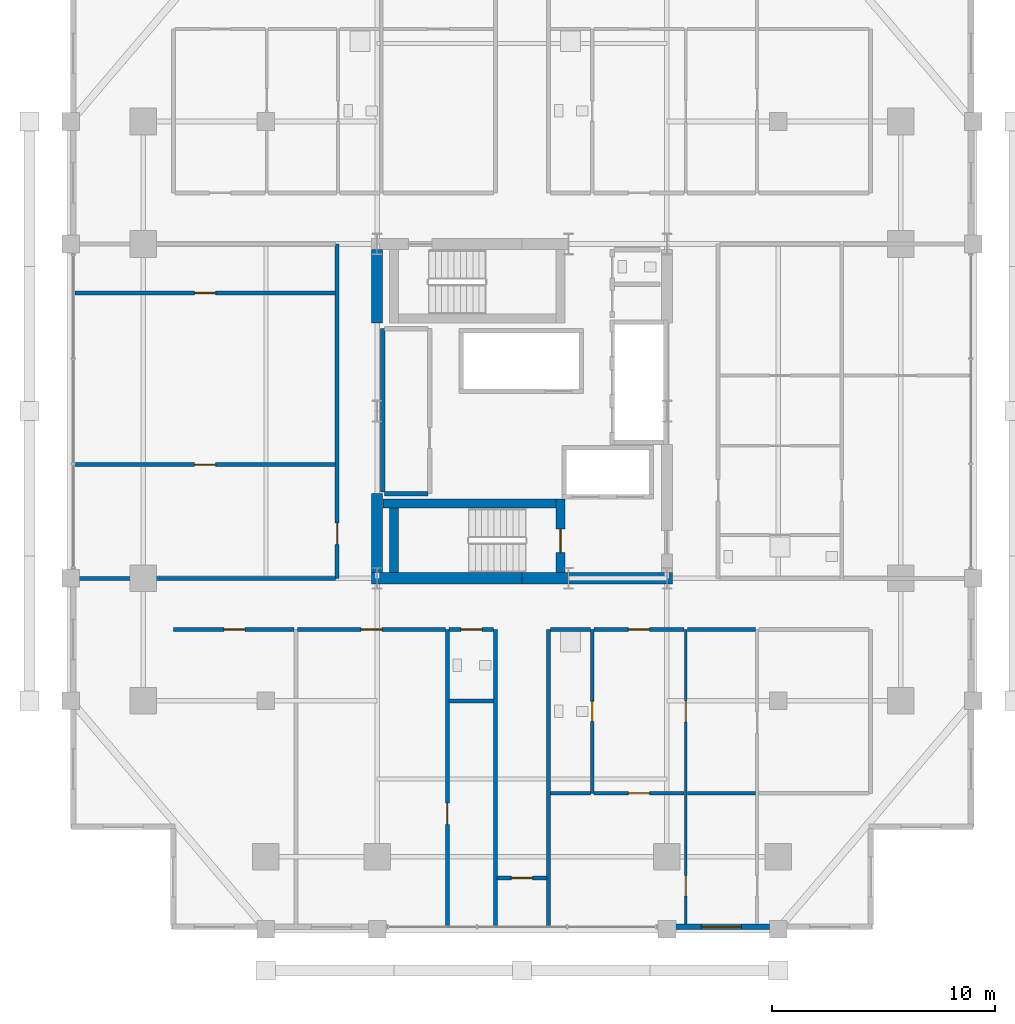
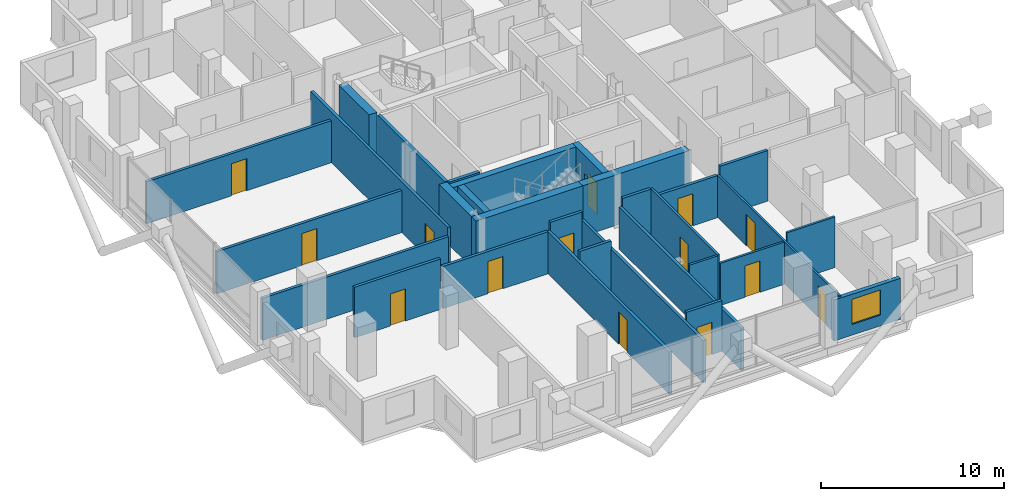
# One storey, part 17 of 23: 30 walls, 14 doors, 1 window, 15 openings.
"""IFC4 building model written with IfcOpenShell, lengths in metres."""

from ifc_helpers import new_model, si_unit, direction, frame, frame_2d, origin, place, context, subcontext, project, spatial, rectangle, extrude, material, layer, layer_set, type_object, element, fill, save


model = new_model("IFC4")

# Units and contexts
model_context = context("Model", 3, precision=1e-05, world=origin(), true_north=direction((0.0, 1.0)))
body_context = subcontext(model_context, "Body", "Model", "MODEL_VIEW")
ifc_project = project(units=[si_unit("LENGTHUNIT", "METRE"), si_unit("AREAUNIT", "SQUARE_METRE"), si_unit("VOLUMEUNIT", "CUBIC_METRE"), si_unit("PLANEANGLEUNIT", "RADIAN"), si_unit("MASSUNIT", "GRAM", prefix="KILO")], contexts=[model_context])

# Site, building, storey
site_placement = place(None, origin())
site = spatial("IfcSite", under=ifc_project, at=site_placement, CompositionType="ELEMENT")
building_placement = place(site_placement, origin())
building = spatial("IfcBuilding", under=site, at=building_placement, Name="Barlavira Tower and Art Museum", CompositionType="ELEMENT")
storey_placement = place(building_placement, frame((0.0, 0.0, 151.199951171875)))
storey = spatial("IfcBuildingStorey", under=building, at=storey_placement, Name="L38", CompositionType="ELEMENT", Elevation=151.199951171875)

# Wall, openings, doors
ifc_material_1 = material(Name="Gypsum acoustic stud partition", Category="gypsum")
ifc_layer_1 = layer(ifc_material_1, 0.1201171875, Name="Gypsum acoustic stud partition")
ifc_layer_set_1 = layer_set([ifc_layer_1], Name="Gypsum acoustic stud partition")
wall_type_1 = type_object("IfcWallType", Name="Apartment Internal Acoustic Partition 120", PredefinedType="PARTITIONING", material=ifc_layer_set_1)
wall_1_placement = place(storey_placement, frame((7.35009765625, -23.14990234375, 0.0), z_axis=(0.0, 0.0, 1.0), x_axis=(0.0, 1.0, 0.0)))
wall_1 = element("IfcWall", 1, at=wall_1_placement, inside=storey, type_object=wall_type_1, Name="L38 Partition Wall 17", PredefinedType="PARTITIONING", context=body_context, shape_type="SweptSolid", body=[
    extrude(rectangle(XDim=13.349853515625, YDim=0.1201171875, at=frame_2d((6.6748046875, 0.0))), origin(), (0.0, 0.0, 1.0), 2.816162109375),
])
opening_1_placement = place(wall_1_placement, frame((9.205078125, 0.0, 0.0)))
opening_1 = element("IfcOpeningElement", 2, at=opening_1_placement, cuts=wall_1, Name="Opening D-02", PredefinedType="OPENING", context=body_context, shape_type="SweptSolid", body=[
    extrude(rectangle(XDim=0.949951171875, YDim=2.10009765625, at=frame_2d((0.47509765625, 1.050048828125))), frame((0.0, 0.070068359375, 0.0), z_axis=(0.0, -1.0, 0.0), x_axis=(1.0, 0.0, 0.0)), (0.0, 0.0, 1.0), 0.14013671875),
])
opening_2_placement = place(wall_1_placement, frame((1.39892578125, 0.0, 0.0)))
opening_2 = element("IfcOpeningElement", 3, at=opening_2_placement, cuts=wall_1, Name="Opening D-01", PredefinedType="OPENING", context=body_context, shape_type="SweptSolid", body=[
    extrude(rectangle(XDim=0.89990234375, YDim=2.10009765625, at=frame_2d((0.449951171875, 1.050048828125))), frame((0.0, 0.070068359375, 0.0), z_axis=(0.0, -1.0, 0.0), x_axis=(1.0, 0.0, 0.0)), (0.0, 0.0, 1.0), 0.14013671875),
])
ifc_material_2 = material(Name="Engineered coastal hardwood", Category="wood")
door_type_1 = type_object("IfcDoorType", Name="Internal Bedroom Timber Flush Door 900x2100", OperationType="NOTDEFINED", PredefinedType="DOOR", material=ifc_material_2)
door_1_placement = place(opening_2_placement, origin())
door_1 = element("IfcDoor", 4, at=door_1_placement, inside=storey, type_object=door_type_1, Name="Apartment SE1 Bedroom 1 Door", OperationType="SINGLE_SWING_RIGHT", OverallHeight=2.10009765625, OverallWidth=0.89990234375, PredefinedType="DOOR", context=body_context, shape_type="SweptSolid", body=[
    extrude(rectangle(XDim=0.89990234375, YDim=2.10009765625, at=frame_2d((0.449951171875, 1.050048828125))), frame((0.0, 0.02490234375, 0.0), z_axis=(0.0, -1.0, 0.0), x_axis=(1.0, 0.0, 0.0)), (0.0, 0.0, 1.0), 0.050048828125),
])
fill(opening_2, door_1)
door_type_2 = type_object("IfcDoorType", Name="Living and Salon Glazed-Leaf Door 950x2100", OperationType="NOTDEFINED", PredefinedType="DOOR", material=ifc_material_2)
door_2_placement = place(opening_1_placement, origin())
door_2 = element("IfcDoor", 5, at=door_2_placement, inside=storey, type_object=door_type_2, Name="Apartment SE1 Kitchen Door", OperationType="SINGLE_SWING_LEFT", OverallHeight=2.10009765625, OverallWidth=0.949951171875, PredefinedType="DOOR", context=body_context, shape_type="SweptSolid", body=[
    extrude(rectangle(XDim=0.949951171875, YDim=2.10009765625, at=frame_2d((0.47509765625, 1.050048828125))), frame((0.0, 0.02490234375, 0.0), z_axis=(0.0, -1.0, 0.0), x_axis=(1.0, 0.0, 0.0)), (0.0, 0.0, 1.0), 0.050048828125),
])
fill(opening_1, door_2)

# Walls
ifc_material_3 = material(Name="Concrete C60", Category="concrete")
ifc_layer_2 = layer(ifc_material_3, 0.5, Name="Concrete C60")
ifc_layer_set_2 = layer_set([ifc_layer_2], Name="Concrete C60")
wall_type_2 = type_object("IfcWallType", Name="Core Structural Shear Wall 500 Concrete C60", PredefinedType="SHEAR", material=ifc_layer_set_2)
for number, where, z_axis, x_axis, name in (
    (6, (-6.75, -7.5, 0.0), (0.0, 0.0, 1.0), (1.0, 0.0, 0.0), "L38 Core Shear Wall CS-SW"),
    (7, (0.0, -7.5, 0.0), (0.0, 0.0, 1.0), (1.0, 0.0, 0.0), "L38 Core Shear Wall CS-SE"),
):
    element("IfcWall", number, at=place(storey_placement, frame(where, z_axis=z_axis, x_axis=x_axis)), inside=storey, type_object=wall_type_2, Name=name, PredefinedType="SHEAR", context=body_context, shape_type="SweptSolid", body=[
        extrude(rectangle(XDim=6.75, YDim=0.5, at=frame_2d((3.375, 0.0))), origin(), (0.0, 0.0, 1.0), 3.380126953125),
    ])
wall_2_placement = place(storey_placement, frame((-6.5, -7.25, 0.0), z_axis=(0.0, 0.0, 1.0), x_axis=(0.0, 1.0, 0.0)))
element("IfcWall", 8, at=wall_2_placement, inside=storey, type_object=wall_type_2, Name="L38 Core Shear Wall CS-W1", PredefinedType="SHEAR", context=body_context, shape_type="SweptSolid", body=[
    extrude(rectangle(XDim=3.550048828125, YDim=0.5, at=frame_2d((1.77490234375, 0.0))), origin(), (0.0, 0.0, 1.0), 3.380126953125),
])
wall_3_placement = place(storey_placement, frame((-6.5, 3.949951171875, 0.0), z_axis=(0.0, 0.0, 1.0), x_axis=(0.0, 1.0, 0.0)))
element("IfcWall", 9, at=wall_3_placement, inside=storey, type_object=wall_type_2, Name="L38 Core Shear Wall CS-W2", PredefinedType="SHEAR", context=body_context, shape_type="SweptSolid", body=[
    extrude(rectangle(XDim=3.300048828125, YDim=0.5, at=frame_2d((1.64990234375, 0.0))), origin(), (0.0, 0.0, 1.0), 3.380126953125),
])
ifc_material_4 = material(Name="Autoclaved aerated concrete masonry", Category="masonry")
ifc_layer_3 = layer(ifc_material_4, 0.199951171875, Name="Autoclaved aerated concrete masonry")
ifc_layer_set_3 = layer_set([ifc_layer_3], Name="Autoclaved aerated concrete masonry")
wall_type_3 = type_object("IfcWallType", Name="Fire Compartment and Shaft Wall 200", PredefinedType="SOLIDWALL", material=ifc_layer_set_3)
wall_4_placement = place(storey_placement, frame((-6.25, -3.639892578125, 0.0), z_axis=(0.0, 0.0, 1.0), x_axis=(0.0, 1.0, 0.0)))
element("IfcWall", 10, at=wall_4_placement, inside=storey, type_object=wall_type_3, Name="L38 Partition Wall 7", PredefinedType="SOLIDWALL", context=body_context, shape_type="SweptSolid", body=[
    extrude(rectangle(XDim=7.33984375, YDim=0.199951171875, at=frame_2d((3.669921875, 0.0))), origin(), (0.0, 0.0, 1.0), 3.380126953125),
])
wall_5_placement = place(storey_placement, frame((-6.169921875, -3.699951171875, 0.0), z_axis=(0.0, 0.0, 1.0), x_axis=(1.0, 0.0, 0.0)))
element("IfcWall", 11, at=wall_5_placement, inside=storey, type_object=wall_type_3, Name="L38 Partition Wall 42", PredefinedType="SOLIDWALL", context=body_context, shape_type="SweptSolid", body=[
    extrude(rectangle(XDim=1.93994140625, YDim=0.199951171875, at=frame_2d((0.969970703125, 0.0))), origin(), (0.0, 0.0, 1.0), 3.380126953125),
])

# Wall, opening, door
ifc_layer_4 = layer(ifc_material_1, 0.179931640625, Name="Gypsum acoustic stud partition")
ifc_layer_set_4 = layer_set([ifc_layer_4], Name="Gypsum acoustic stud partition")
wall_type_4 = type_object("IfcWallType", Name="Inter-Tenancy Party Partition Wall 180", PredefinedType="PARTITIONING", material=ifc_layer_set_4)
wall_6_placement = place(storey_placement, frame((-8.300048828125, -7.5, 0.0), z_axis=(0.0, 0.0, 1.0), x_axis=(0.0, 1.0, 0.0)))
wall_6 = element("IfcWall", 12, at=wall_6_placement, inside=storey, type_object=wall_type_4, Name="L38 Partition Wall 4", PredefinedType="PARTITIONING", context=body_context, shape_type="SweptSolid", body=[
    extrude(rectangle(XDim=15.0, YDim=0.179931640625, at=frame_2d((7.5, 0.0))), origin(), (0.0, 0.0, 1.0), 3.380126953125),
])
opening_3_placement = place(wall_6_placement, frame((1.52490234375, 0.0, 0.0)))
opening_3 = element("IfcOpeningElement", 13, at=opening_3_placement, cuts=wall_6, Name="Opening FD-60", PredefinedType="OPENING", context=body_context, shape_type="SweptSolid", body=[
    extrude(rectangle(XDim=0.949951171875, YDim=2.14990234375, at=frame_2d((0.47509765625, 1.074951171875))), frame((0.0, 0.10009765625, 0.0), z_axis=(0.0, -1.0, 0.0), x_axis=(1.0, 0.0, 0.0)), (0.0, 0.0, 1.0), 0.199951171875),
])
ifc_material_5 = material(Name="Brushed stainless steel", Category="steel")
door_type_3 = type_object("IfcDoorType", Name="Apartment Entrance and Riser Fire Door 950x2150 FD60S", OperationType="NOTDEFINED", PredefinedType="DOOR", material=ifc_material_5)
door_3_placement = place(opening_3_placement, origin())
door_3 = element("IfcDoor", 14, at=door_3_placement, inside=storey, type_object=door_type_3, Name="Resident Sky Coworking Studio Door", OperationType="SINGLE_SWING_LEFT", OverallHeight=2.14990234375, OverallWidth=0.949951171875, PredefinedType="DOOR", context=body_context, shape_type="SweptSolid", body=[
    extrude(rectangle(XDim=0.949951171875, YDim=2.14990234375, at=frame_2d((0.47509765625, 1.074951171875))), frame((0.0, 0.02490234375, 0.0), z_axis=(0.0, -1.0, 0.0), x_axis=(1.0, 0.0, 0.0)), (0.0, 0.0, 1.0), 0.050048828125),
])
fill(opening_3, door_3)

wall_7_placement = place(storey_placement, frame((-3.35009765625, -23.14990234375, 0.0), z_axis=(0.0, 0.0, 1.0), x_axis=(0.0, 1.0, 0.0)))
wall_7 = element("IfcWall", 15, at=wall_7_placement, inside=storey, type_object=wall_type_4, Name="L38 Partition Wall 9", PredefinedType="PARTITIONING", context=body_context, shape_type="SweptSolid", body=[
    extrude(rectangle(XDim=13.349853515625, YDim=0.179931640625, at=frame_2d((6.6748046875, 0.0))), origin(), (0.0, 0.0, 1.0), 2.816162109375),
])
opening_4_placement = place(wall_7_placement, frame((4.60498046875, 0.0, 0.0)))
opening_4 = element("IfcOpeningElement", 16, at=opening_4_placement, cuts=wall_7, Name="Opening FD-60", PredefinedType="OPENING", context=body_context, shape_type="SweptSolid", body=[
    extrude(rectangle(XDim=0.949951171875, YDim=2.14990234375, at=frame_2d((0.47509765625, 1.074951171875))), frame((0.0, 0.10009765625, 0.0), z_axis=(0.0, -1.0, 0.0), x_axis=(1.0, 0.0, 0.0)), (0.0, 0.0, 1.0), 0.199951171875),
])
door_4_placement = place(opening_4_placement, origin())
door_4 = element("IfcDoor", 17, at=door_4_placement, inside=storey, type_object=door_type_3, Name="Thermal Relaxation Lounge Door", OperationType="SINGLE_SWING_RIGHT", OverallHeight=2.14990234375, OverallWidth=0.949951171875, PredefinedType="DOOR", context=body_context, shape_type="SweptSolid", body=[
    extrude(rectangle(XDim=0.949951171875, YDim=2.14990234375, at=frame_2d((0.47509765625, 1.074951171875))), frame((0.0, 0.02490234375, 0.0), z_axis=(0.0, -1.0, 0.0), x_axis=(1.0, 0.0, 0.0)), (0.0, 0.0, 1.0), 0.050048828125),
])
fill(opening_4, door_4)

# Walls
for number, where, z_axis, x_axis, name in (
    (18, (-1.199951171875, -23.14990234375, 0.0), (0.0, 0.0, 1.0), (0.0, 1.0, 0.0), "L38 Partition Wall 10"),
    (19, (1.199951171875, -23.14990234375, 0.0), (0.0, 0.0, 1.0), (0.0, 1.0, 0.0), "L38 Partition Wall 12"),
):
    element("IfcWall", number, at=place(storey_placement, frame(where, z_axis=z_axis, x_axis=x_axis)), inside=storey, type_object=wall_type_4, Name=name, PredefinedType="PARTITIONING", context=body_context, shape_type="SweptSolid", body=[
        extrude(rectangle(XDim=13.349853515625, YDim=0.179931640625, at=frame_2d((6.6748046875, 0.0))), origin(), (0.0, 0.0, 1.0), 2.816162109375),
    ])

# Wall, opening, door
wall_8_placement = place(storey_placement, frame((-1.1201171875, -20.949951171875, 0.0), z_axis=(0.0, 0.0, 1.0), x_axis=(1.0, 0.0, 0.0)))
wall_8 = element("IfcWall", 20, at=wall_8_placement, inside=storey, type_object=wall_type_4, Name="L38 Partition Wall 25", PredefinedType="PARTITIONING", context=body_context, shape_type="SweptSolid", body=[
    extrude(rectangle(XDim=2.240234375, YDim=0.179931640625, at=frame_2d((1.1201171875, 0.0))), origin(), (0.0, 0.0, 1.0), 3.380126953125),
])
opening_5_placement = place(wall_8_placement, frame((0.64501953125, 0.0, 0.0)))
opening_5 = element("IfcOpeningElement", 21, at=opening_5_placement, cuts=wall_8, Name="Opening FD-60", PredefinedType="OPENING", context=body_context, shape_type="SweptSolid", body=[
    extrude(rectangle(XDim=0.949951171875, YDim=2.14990234375, at=frame_2d((0.47509765625, 1.074951171875))), frame((0.0, 0.10009765625, 0.0), z_axis=(0.0, -1.0, 0.0), x_axis=(1.0, 0.0, 0.0)), (0.0, 0.0, 1.0), 0.199951171875),
])
door_5_placement = place(opening_5_placement, origin())
door_5 = element("IfcDoor", 22, at=door_5_placement, inside=storey, type_object=door_type_3, Name="L38 South Horizon Reading Alcove Door", OperationType="SINGLE_SWING_RIGHT", OverallHeight=2.14990234375, OverallWidth=0.949951171875, PredefinedType="DOOR", context=body_context, shape_type="SweptSolid", body=[
    extrude(rectangle(XDim=0.949951171875, YDim=2.14990234375, at=frame_2d((0.47509765625, 1.074951171875))), frame((0.0, 0.02490234375, 0.0), z_axis=(0.0, -1.0, 0.0), x_axis=(1.0, 0.0, 0.0)), (0.0, 0.0, 1.0), 0.050048828125),
])
fill(opening_5, door_5)

# Wall
wall_9_placement = place(storey_placement, frame((-3.27001953125, -13.0, 0.0), z_axis=(0.0, 0.0, 1.0), x_axis=(1.0, 0.0, 0.0)))
element("IfcWall", 23, at=wall_9_placement, inside=storey, type_object=wall_type_4, Name="L38 Partition Wall 30", PredefinedType="PARTITIONING", context=body_context, shape_type="SweptSolid", body=[
    extrude(rectangle(XDim=1.989990234375, YDim=0.179931640625, at=frame_2d((0.9951171875, 0.0))), origin(), (0.0, 0.0, 1.0), 3.380126953125),
])

# Wall, opening, door
wall_10_placement = place(storey_placement, frame((-15.64990234375, -9.800048828125, 0.0), z_axis=(0.0, 0.0, 1.0), x_axis=(1.0, 0.0, 0.0)))
wall_10 = element("IfcWall", 24, at=wall_10_placement, inside=storey, type_object=wall_type_4, Name="L38 Partition Wall 31", PredefinedType="PARTITIONING", context=body_context, shape_type="SweptSolid", body=[
    extrude(rectangle(XDim=5.419921875, YDim=0.179931640625, at=frame_2d((2.7099609375, 0.0))), origin(), (0.0, 0.0, 1.0), 3.380126953125),
])
opening_6_placement = place(wall_10_placement, frame((2.264892578125, 0.0, 0.0)))
opening_6 = element("IfcOpeningElement", 25, at=opening_6_placement, cuts=wall_10, Name="Opening FD-60", PredefinedType="OPENING", context=body_context, shape_type="SweptSolid", body=[
    extrude(rectangle(XDim=0.949951171875, YDim=2.14990234375, at=frame_2d((0.47509765625, 1.074951171875))), frame((0.0, 0.10009765625, 0.0), z_axis=(0.0, -1.0, 0.0), x_axis=(1.0, 0.0, 0.0)), (0.0, 0.0, 1.0), 0.199951171875),
])
door_6_placement = place(opening_6_placement, origin())
door_6 = element("IfcDoor", 26, at=door_6_placement, inside=storey, type_object=door_type_3, Name="Resident Ocean-View Fitness Studio Door", OperationType="SINGLE_SWING_LEFT", OverallHeight=2.14990234375, OverallWidth=0.949951171875, PredefinedType="DOOR", context=body_context, shape_type="SweptSolid", body=[
    extrude(rectangle(XDim=0.949951171875, YDim=2.14990234375, at=frame_2d((0.47509765625, 1.074951171875))), frame((0.0, 0.02490234375, 0.0), z_axis=(0.0, -1.0, 0.0), x_axis=(1.0, 0.0, 0.0)), (0.0, 0.0, 1.0), 0.050048828125),
])
fill(opening_6, door_6)

wall_11_placement = place(storey_placement, frame((-10.070068359375, -9.800048828125, 0.0), z_axis=(0.0, 0.0, 1.0), x_axis=(1.0, 0.0, 0.0)))
wall_11 = element("IfcWall", 27, at=wall_11_placement, inside=storey, type_object=wall_type_4, Name="L38 Partition Wall 32", PredefinedType="PARTITIONING", context=body_context, shape_type="SweptSolid", body=[
    extrude(rectangle(XDim=6.64013671875, YDim=0.179931640625, at=frame_2d((3.320068359375, 0.0))), origin(), (0.0, 0.0, 1.0), 2.816162109375),
])
opening_7_placement = place(wall_11_placement, frame((2.844970703125, 0.0, 0.0)))
opening_7 = element("IfcOpeningElement", 28, at=opening_7_placement, cuts=wall_11, Name="Opening FD-60", PredefinedType="OPENING", context=body_context, shape_type="SweptSolid", body=[
    extrude(rectangle(XDim=0.949951171875, YDim=2.14990234375, at=frame_2d((0.47509765625, 1.074951171875))), frame((0.0, 0.10009765625, 0.0), z_axis=(0.0, -1.0, 0.0), x_axis=(1.0, 0.0, 0.0)), (0.0, 0.0, 1.0), 0.199951171875),
])
door_7_placement = place(opening_7_placement, origin())
door_7 = element("IfcDoor", 29, at=door_7_placement, inside=storey, type_object=door_type_3, Name="Coastal Hydrotherapy and Yoga Lounge Door", OperationType="SINGLE_SWING_RIGHT", OverallHeight=2.14990234375, OverallWidth=0.949951171875, PredefinedType="DOOR", context=body_context, shape_type="SweptSolid", body=[
    extrude(rectangle(XDim=0.949951171875, YDim=2.14990234375, at=frame_2d((0.47509765625, 1.074951171875))), frame((0.0, 0.02490234375, 0.0), z_axis=(0.0, -1.0, 0.0), x_axis=(1.0, 0.0, 0.0)), (0.0, 0.0, 1.0), 0.050048828125),
])
fill(opening_7, door_7)

wall_12_placement = place(storey_placement, frame((-3.27001953125, -9.800048828125, 0.0), z_axis=(0.0, 0.0, 1.0), x_axis=(1.0, 0.0, 0.0)))
wall_12 = element("IfcWall", 30, at=wall_12_placement, inside=storey, type_object=wall_type_4, Name="L38 Partition Wall 33", PredefinedType="PARTITIONING", context=body_context, shape_type="SweptSolid", body=[
    extrude(rectangle(XDim=1.989990234375, YDim=0.179931640625, at=frame_2d((0.9951171875, 0.0))), origin(), (0.0, 0.0, 1.0), 3.380126953125),
])
opening_8_placement = place(wall_12_placement, frame((0.52490234375, 0.0, 0.0)))
opening_8 = element("IfcOpeningElement", 31, at=opening_8_placement, cuts=wall_12, Name="Opening FD-60", PredefinedType="OPENING", context=body_context, shape_type="SweptSolid", body=[
    extrude(rectangle(XDim=0.949951171875, YDim=2.14990234375, at=frame_2d((0.47509765625, 1.074951171875))), frame((0.0, 0.10009765625, 0.0), z_axis=(0.0, -1.0, 0.0), x_axis=(1.0, 0.0, 0.0)), (0.0, 0.0, 1.0), 0.199951171875),
])
door_8_placement = place(opening_8_placement, origin())
door_8 = element("IfcDoor", 32, at=door_8_placement, inside=storey, type_object=door_type_3, Name="Wellness Changing and Accessible Shower WC Door", OperationType="SINGLE_SWING_LEFT", OverallHeight=2.14990234375, OverallWidth=0.949951171875, PredefinedType="DOOR", context=body_context, shape_type="SweptSolid", body=[
    extrude(rectangle(XDim=0.949951171875, YDim=2.14990234375, at=frame_2d((0.47509765625, 1.074951171875))), frame((0.0, 0.02490234375, 0.0), z_axis=(0.0, -1.0, 0.0), x_axis=(1.0, 0.0, 0.0)), (0.0, 0.0, 1.0), 0.050048828125),
])
fill(opening_8, door_8)

# Wall
wall_13_placement = place(storey_placement, frame((1.280029296875, -9.800048828125, 0.0), z_axis=(0.0, 0.0, 1.0), x_axis=(1.0, 0.0, 0.0)))
element("IfcWall", 33, at=wall_13_placement, inside=storey, type_object=wall_type_4, Name="L38 Partition Wall 34", PredefinedType="PARTITIONING", context=body_context, shape_type="SweptSolid", body=[
    extrude(rectangle(XDim=1.7900390625, YDim=0.179931640625, at=frame_2d((0.89501953125, 0.0))), origin(), (0.0, 0.0, 1.0), 3.380126953125),
])

# Wall, opening, door
wall_14_placement = place(storey_placement, frame((3.22998046875, -9.800048828125, 0.0), z_axis=(0.0, 0.0, 1.0), x_axis=(1.0, 0.0, 0.0)))
wall_14 = element("IfcWall", 34, at=wall_14_placement, inside=storey, type_object=wall_type_4, Name="L38 Partition Wall 35", PredefinedType="PARTITIONING", context=body_context, shape_type="SweptSolid", body=[
    extrude(rectangle(XDim=4.0400390625, YDim=0.179931640625, at=frame_2d((2.02001953125, 0.0))), origin(), (0.0, 0.0, 1.0), 2.816162109375),
])
opening_9_placement = place(wall_14_placement, frame((1.544921875, 0.0, 0.0)))
opening_9 = element("IfcOpeningElement", 35, at=opening_9_placement, cuts=wall_14, Name="Opening FD-60", PredefinedType="OPENING", context=body_context, shape_type="SweptSolid", body=[
    extrude(rectangle(XDim=0.949951171875, YDim=2.14990234375, at=frame_2d((0.47509765625, 1.074951171875))), frame((0.0, 0.10009765625, 0.0), z_axis=(0.0, -1.0, 0.0), x_axis=(1.0, 0.0, 0.0)), (0.0, 0.0, 1.0), 0.199951171875),
])
door_9_placement = place(opening_9_placement, origin())
door_9 = element("IfcDoor", 36, at=door_9_placement, inside=storey, type_object=door_type_3, Name="Apartment Entrance Hall SE1 Door", OperationType="SINGLE_SWING_RIGHT", OverallHeight=2.14990234375, OverallWidth=0.949951171875, PredefinedType="DOOR", context=body_context, shape_type="SweptSolid", body=[
    extrude(rectangle(XDim=0.949951171875, YDim=2.14990234375, at=frame_2d((0.47509765625, 1.074951171875))), frame((0.0, 0.02490234375, 0.0), z_axis=(0.0, -1.0, 0.0), x_axis=(1.0, 0.0, 0.0)), (0.0, 0.0, 1.0), 0.050048828125),
])
fill(opening_9, door_9)

# Walls
wall_15_placement = place(storey_placement, frame((7.429931640625, -9.800048828125, 0.0), z_axis=(0.0, 0.0, 1.0), x_axis=(1.0, 0.0, 0.0)))
element("IfcWall", 37, at=wall_15_placement, inside=storey, type_object=wall_type_4, Name="L38 Partition Wall 36", PredefinedType="PARTITIONING", context=body_context, shape_type="SweptSolid", body=[
    extrude(rectangle(XDim=3.0400390625, YDim=0.179931640625, at=frame_2d((1.52001953125, 0.0))), origin(), (0.0, 0.0, 1.0), 3.380126953125),
])
wall_16_placement = place(storey_placement, frame((-20.14990234375, -7.5, 0.0), z_axis=(0.0, 0.0, 1.0), x_axis=(1.0, 0.0, 0.0)))
element("IfcWall", 38, at=wall_16_placement, inside=storey, type_object=wall_type_4, Name="L38 Partition Wall 38", PredefinedType="PARTITIONING", context=body_context, shape_type="SweptSolid", body=[
    extrude(rectangle(XDim=11.77001953125, YDim=0.179931640625, at=frame_2d((5.885009765625, 0.0))), origin(), (0.0, 0.0, 1.0), 2.816162109375),
])

# Wall, opening, door
wall_17_placement = place(storey_placement, frame((-20.070068359375, -2.39990234375, 0.0), z_axis=(0.0, 0.0, 1.0), x_axis=(1.0, 0.0, 0.0)))
wall_17 = element("IfcWall", 39, at=wall_17_placement, inside=storey, type_object=wall_type_4, Name="L38 Partition Wall 43", PredefinedType="PARTITIONING", context=body_context, shape_type="SweptSolid", body=[
    extrude(rectangle(XDim=11.690185546875, YDim=0.179931640625, at=frame_2d((5.84521484375, 0.0))), origin(), (0.0, 0.0, 1.0), 2.816162109375),
])
opening_10_placement = place(wall_17_placement, frame((5.375, 0.0, 0.0)))
opening_10 = element("IfcOpeningElement", 40, at=opening_10_placement, cuts=wall_17, Name="Opening FD-60", PredefinedType="OPENING", context=body_context, shape_type="SweptSolid", body=[
    extrude(rectangle(XDim=0.949951171875, YDim=2.14990234375, at=frame_2d((0.47509765625, 1.074951171875))), frame((0.0, 0.10009765625, 0.0), z_axis=(0.0, -1.0, 0.0), x_axis=(1.0, 0.0, 0.0)), (0.0, 0.0, 1.0), 0.199951171875),
])
door_10_placement = place(opening_10_placement, origin())
door_10 = element("IfcDoor", 41, at=door_10_placement, inside=storey, type_object=door_type_3, Name="Atlantic Horizon Boardroom Door", OperationType="SINGLE_SWING_RIGHT", OverallHeight=2.14990234375, OverallWidth=0.949951171875, PredefinedType="DOOR", context=body_context, shape_type="SweptSolid", body=[
    extrude(rectangle(XDim=0.949951171875, YDim=2.14990234375, at=frame_2d((0.47509765625, 1.074951171875))), frame((0.0, 0.02490234375, 0.0), z_axis=(0.0, -1.0, 0.0), x_axis=(1.0, 0.0, 0.0)), (0.0, 0.0, 1.0), 0.050048828125),
])
fill(opening_10, door_10)

wall_18_placement = place(storey_placement, frame((-20.070068359375, 5.300048828125, 0.0), z_axis=(0.0, 0.0, 1.0), x_axis=(1.0, 0.0, 0.0)))
wall_18 = element("IfcWall", 42, at=wall_18_placement, inside=storey, type_object=wall_type_4, Name="L38 Partition Wall 48", PredefinedType="PARTITIONING", context=body_context, shape_type="SweptSolid", body=[
    extrude(rectangle(XDim=11.690185546875, YDim=0.179931640625, at=frame_2d((5.84521484375, 0.0))), origin(), (0.0, 0.0, 1.0), 2.816162109375),
])
opening_11_placement = place(wall_18_placement, frame((5.375, 0.0, 0.0)))
opening_11 = element("IfcOpeningElement", 43, at=opening_11_placement, cuts=wall_18, Name="Opening FD-60", PredefinedType="OPENING", context=body_context, shape_type="SweptSolid", body=[
    extrude(rectangle(XDim=0.949951171875, YDim=2.14990234375, at=frame_2d((0.47509765625, 1.074951171875))), frame((0.0, 0.10009765625, 0.0), z_axis=(0.0, -1.0, 0.0), x_axis=(1.0, 0.0, 0.0)), (0.0, 0.0, 1.0), 0.199951171875),
])
door_11_placement = place(opening_11_placement, origin())
door_11 = element("IfcDoor", 44, at=door_11_placement, inside=storey, type_object=door_type_3, Name="Shared Coworking Espresso Pantry Door", OperationType="SINGLE_SWING_LEFT", OverallHeight=2.14990234375, OverallWidth=0.949951171875, PredefinedType="DOOR", context=body_context, shape_type="SweptSolid", body=[
    extrude(rectangle(XDim=0.949951171875, YDim=2.14990234375, at=frame_2d((0.47509765625, 1.074951171875))), frame((0.0, 0.02490234375, 0.0), z_axis=(0.0, -1.0, 0.0), x_axis=(1.0, 0.0, 0.0)), (0.0, 0.0, 1.0), 0.050048828125),
])
fill(opening_11, door_11)

ifc_layer_5 = layer(ifc_material_1, 0.139892578125, Name="Gypsum acoustic stud partition")
ifc_layer_set_5 = layer_set([ifc_layer_5], Name="Gypsum acoustic stud partition")
wall_type_5 = type_object("IfcWallType", Name="Moisture-Resistant Bathroom Partition 140", PredefinedType="PARTITIONING", material=ifc_layer_set_5)
wall_19_placement = place(storey_placement, frame((3.14990234375, -17.14990234375, 0.0), z_axis=(0.0, 0.0, 1.0), x_axis=(0.0, 1.0, 0.0)))
wall_19 = element("IfcWall", 45, at=wall_19_placement, inside=storey, type_object=wall_type_5, Name="L38 Partition Wall 14", PredefinedType="PARTITIONING", context=body_context, shape_type="SweptSolid", body=[
    extrude(rectangle(XDim=7.349853515625, YDim=0.139892578125, at=frame_2d((3.6748046875, 0.0))), origin(), (0.0, 0.0, 1.0), 3.380126953125),
])
opening_12_placement = place(wall_19_placement, frame((3.22998046875, 0.0, 0.0)))
opening_12 = element("IfcOpeningElement", 46, at=opening_12_placement, cuts=wall_19, Name="Opening D-WC", PredefinedType="OPENING", context=body_context, shape_type="SweptSolid", body=[
    extrude(rectangle(XDim=0.89990234375, YDim=2.10009765625, at=frame_2d((0.449951171875, 1.050048828125))), frame((0.0, 0.080078125, 0.0), z_axis=(0.0, -1.0, 0.0), x_axis=(1.0, 0.0, 0.0)), (0.0, 0.0, 1.0), 0.159912109375),
])
door_type_4 = type_object("IfcDoorType", Name="Accessible Bathroom Flush Door 900x2100", OperationType="NOTDEFINED", PredefinedType="DOOR", material=ifc_material_2)
door_12_placement = place(opening_12_placement, origin())
door_12 = element("IfcDoor", 47, at=door_12_placement, inside=storey, type_object=door_type_4, Name="Apartment SE1 Hall Bathroom Door", OperationType="SINGLE_SWING_LEFT", OverallHeight=2.10009765625, OverallWidth=0.89990234375, PredefinedType="DOOR", context=body_context, shape_type="SweptSolid", body=[
    extrude(rectangle(XDim=0.89990234375, YDim=2.10009765625, at=frame_2d((0.449951171875, 1.050048828125))), frame((0.0, 0.02490234375, 0.0), z_axis=(0.0, -1.0, 0.0), x_axis=(1.0, 0.0, 0.0)), (0.0, 0.0, 1.0), 0.050048828125),
])
fill(opening_12, door_12)

# Wall
wall_20_placement = place(storey_placement, frame((1.280029296875, -17.14990234375, 0.0), z_axis=(0.0, 0.0, 1.0), x_axis=(1.0, 0.0, 0.0)))
element("IfcWall", 48, at=wall_20_placement, inside=storey, type_object=wall_type_5, Name="L38 Partition Wall 26", PredefinedType="PARTITIONING", context=body_context, shape_type="SweptSolid", body=[
    extrude(rectangle(XDim=1.7900390625, YDim=0.139892578125, at=frame_2d((0.89501953125, 0.0))), origin(), (0.0, 0.0, 1.0), 3.380126953125),
])

# Wall, opening, door
wall_21_placement = place(storey_placement, frame((3.22998046875, -17.14990234375, 0.0), z_axis=(0.0, 0.0, 1.0), x_axis=(1.0, 0.0, 0.0)))
wall_21 = element("IfcWall", 49, at=wall_21_placement, inside=storey, type_object=wall_type_5, Name="L38 Partition Wall 27", PredefinedType="PARTITIONING", context=body_context, shape_type="SweptSolid", body=[
    extrude(rectangle(XDim=4.0400390625, YDim=0.139892578125, at=frame_2d((2.02001953125, 0.0))), origin(), (0.0, 0.0, 1.0), 2.816162109375),
])
opening_13_placement = place(wall_21_placement, frame((1.544921875, 0.0, 0.0)))
opening_13 = element("IfcOpeningElement", 50, at=opening_13_placement, cuts=wall_21, Name="Opening D-02", PredefinedType="OPENING", context=body_context, shape_type="SweptSolid", body=[
    extrude(rectangle(XDim=0.949951171875, YDim=2.10009765625, at=frame_2d((0.47509765625, 1.050048828125))), frame((0.0, 0.080078125, 0.0), z_axis=(0.0, -1.0, 0.0), x_axis=(1.0, 0.0, 0.0)), (0.0, 0.0, 1.0), 0.159912109375),
])
door_13_placement = place(opening_13_placement, origin())
door_13 = element("IfcDoor", 51, at=door_13_placement, inside=storey, type_object=door_type_2, Name="Apartment SE1 Living Lounge Door", OperationType="SINGLE_SWING_LEFT", OverallHeight=2.10009765625, OverallWidth=0.949951171875, PredefinedType="DOOR", context=body_context, shape_type="SweptSolid", body=[
    extrude(rectangle(XDim=0.949951171875, YDim=2.10009765625, at=frame_2d((0.47509765625, 1.050048828125))), frame((0.0, 0.02490234375, 0.0), z_axis=(0.0, -1.0, 0.0), x_axis=(1.0, 0.0, 0.0)), (0.0, 0.0, 1.0), 0.050048828125),
])
fill(opening_13, door_13)

# Wall
wall_22_placement = place(storey_placement, frame((7.429931640625, -17.14990234375, 0.0), z_axis=(0.0, 0.0, 1.0), x_axis=(1.0, 0.0, 0.0)))
element("IfcWall", 52, at=wall_22_placement, inside=storey, type_object=wall_type_5, Name="L38 Partition Wall 28", PredefinedType="PARTITIONING", context=body_context, shape_type="SweptSolid", body=[
    extrude(rectangle(XDim=3.0400390625, YDim=0.139892578125, at=frame_2d((1.52001953125, 0.0))), origin(), (0.0, 0.0, 1.0), 3.380126953125),
])

# Wall, opening, window
ifc_material_6 = material(Name="Precast concrete C40", Category="concrete")
ifc_layer_6 = layer(ifc_material_6, 0.25, Name="Precast concrete C40")
ifc_layer_set_6 = layer_set([ifc_layer_6], Name="Precast concrete C40")
wall_type_6 = type_object("IfcWallType", Name="Notched Corner Spandrel Wall 250 Precast Concrete C40", PredefinedType="SOLIDWALL", material=ifc_layer_set_6)
wall_23_placement = place(storey_placement, frame((6.89501953125, -23.14990234375, 0.0), z_axis=(0.0, 0.0, 1.0), x_axis=(1.0, 0.0, 0.0)))
wall_23 = element("IfcWall", 53, at=wall_23_placement, inside=storey, type_object=wall_type_6, Name="L38 Coastal Facade Pier Wall CW2-L38-S-4", PredefinedType="SOLIDWALL", context=body_context, shape_type="SweptSolid", body=[
    extrude(rectangle(XDim=4.2099609375, YDim=0.25, at=frame_2d((2.10498046875, 0.0))), origin(), (0.0, 0.0, 1.0), 2.736083984375),
])
opening_14_placement = place(wall_23_placement, frame((1.155029296875, 0.0, 0.719970703125)))
opening_14 = element("IfcOpeningElement", 54, at=opening_14_placement, cuts=wall_23, Name="Opening WN-01", PredefinedType="OPENING", context=body_context, shape_type="SweptSolid", body=[
    extrude(rectangle(XDim=1.800048828125, YDim=1.679931640625, at=frame_2d((0.89990234375, 0.83984375))), frame((0.0, 0.135009765625, 0.0), z_axis=(0.0, -1.0, 0.0), x_axis=(1.0, 0.0, 0.0)), (0.0, 0.0, 1.0), 0.27001953125),
])
ifc_material_7 = material(Name="Low-iron coastal laminated glass", Category="glass")
window_type = type_object("IfcWindowType", Name="Recessed Notch Corner Punch Window 1800x1680", PartitioningType="SINGLE_PANEL", PredefinedType="WINDOW", material=ifc_material_7)
window_placement = place(opening_14_placement, origin())
window = element("IfcWindow", 55, at=window_placement, inside=storey, type_object=window_type, Name="L38 Punched Facade Window EWP-CW2-L38-S-4-1", OverallHeight=1.679931640625, OverallWidth=1.800048828125, PartitioningType="SINGLE_PANEL", PredefinedType="WINDOW", context=body_context, shape_type="SweptSolid", body=[
    extrude(rectangle(XDim=1.800048828125, YDim=1.679931640625, at=frame_2d((0.89990234375, 0.83984375))), frame((0.0, 0.030029296875, 0.0), z_axis=(0.0, -1.0, 0.0), x_axis=(1.0, 0.0, 0.0)), (0.0, 0.0, 1.0), 0.06005859375),
])
fill(opening_14, window)

# Walls
ifc_material_8 = material(Name="Concrete C55", Category="concrete")
ifc_layer_7 = layer(ifc_material_8, 0.39990234375, Name="Concrete C55")
ifc_layer_set_7 = layer_set([ifc_layer_7], Name="Concrete C55")
wall_type_7 = type_object("IfcWallType", Name="Upper Core Shear Wall 400 Concrete C55", PredefinedType="SHEAR", material=ifc_layer_set_7)
wall_24_placement = place(storey_placement, frame((-5.75, -7.25, 0.0), z_axis=(0.0, 0.0, 1.0), x_axis=(0.0, 1.0, 0.0)))
element("IfcWall", 56, at=wall_24_placement, inside=storey, type_object=wall_type_7, Name="L38 ST-T1 West Half-Landing Wall", PredefinedType="SHEAR", context=body_context, shape_type="SweptSolid", body=[
    extrude(rectangle(XDim=2.89990234375, YDim=0.39990234375, at=frame_2d((1.449951171875, 0.0))), origin(), (0.0, 0.0, 1.0), 3.380126953125),
])
wall_25_placement = place(storey_placement, frame((-6.25, -4.14990234375, 0.0), z_axis=(0.0, 0.0, 1.0), x_axis=(1.0, 0.0, 0.0)))
element("IfcWall", 57, at=wall_25_placement, inside=storey, type_object=wall_type_7, Name="L38 ST-T1 North Shaft Wall", PredefinedType="SHEAR", context=body_context, shape_type="SweptSolid", body=[
    extrude(rectangle(XDim=7.780029296875, YDim=0.39990234375, at=frame_2d((3.89013671875, 0.0))), origin(), (0.0, 0.0, 1.0), 3.380126953125),
])

# Wall, opening, door
wall_26_placement = place(storey_placement, frame((1.72998046875, -7.25, 0.0), z_axis=(0.0, 0.0, 1.0), x_axis=(0.0, 1.0, 0.0)))
wall_26 = element("IfcWall", 58, at=wall_26_placement, inside=storey, type_object=wall_type_7, Name="L38 ST-T1 East Landing Wall", PredefinedType="SHEAR", context=body_context, shape_type="SweptSolid", body=[
    extrude(rectangle(XDim=3.300048828125, YDim=0.39990234375, at=frame_2d((1.64990234375, 0.0))), origin(), (0.0, 0.0, 1.0), 3.380126953125),
])
opening_15_placement = place(wall_26_placement, frame((0.89990234375, 0.0, 0.0)))
opening_15 = element("IfcOpeningElement", 59, at=opening_15_placement, cuts=wall_26, Name="Opening FD-90", PredefinedType="OPENING", context=body_context, shape_type="SweptSolid", body=[
    extrude(rectangle(XDim=1.050048828125, YDim=2.14990234375, at=frame_2d((0.52490234375, 1.074951171875))), frame((0.0, 0.2099609375, 0.0), z_axis=(0.0, -1.0, 0.0), x_axis=(1.0, 0.0, 0.0)), (0.0, 0.0, 1.0), 0.419921875),
])
door_type_5 = type_object("IfcDoorType", Name="Stair and Refuge Fire Door 1050x2150 FD90S", OperationType="NOTDEFINED", PredefinedType="DOOR", material=ifc_material_5)
door_14_placement = place(opening_15_placement, origin())
door_14 = element("IfcDoor", 60, at=door_14_placement, inside=storey, type_object=door_type_5, Name="L38 Stair ST-T1 Fire Door", OperationType="SINGLE_SWING_RIGHT", OverallHeight=2.14990234375, OverallWidth=1.050048828125, PredefinedType="DOOR", context=body_context, shape_type="SweptSolid", body=[
    extrude(rectangle(XDim=1.050048828125, YDim=2.14990234375, at=frame_2d((0.52490234375, 1.074951171875))), frame((0.0, 0.02490234375, 0.0), z_axis=(0.0, -1.0, 0.0), x_axis=(1.0, 0.0, 0.0)), (0.0, 0.0, 1.0), 0.050048828125),
])
fill(opening_15, door_14)

save(model, "model.ifc")
